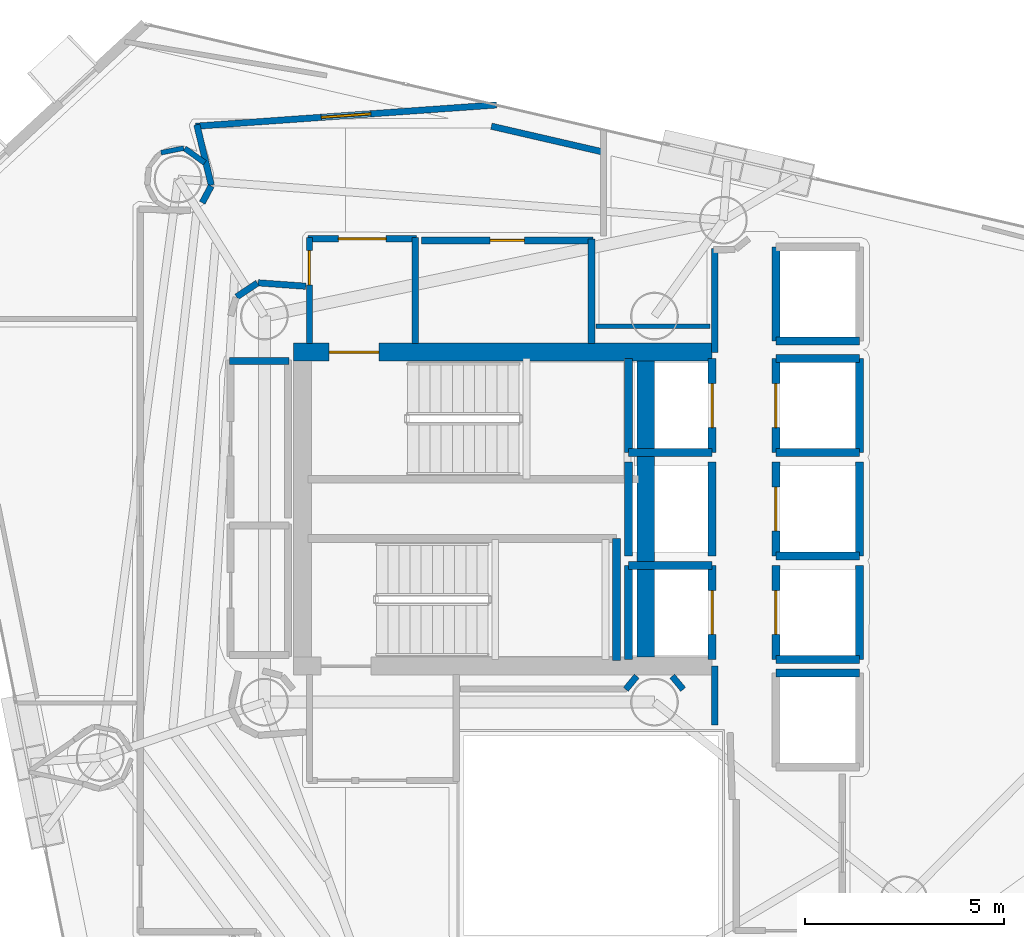
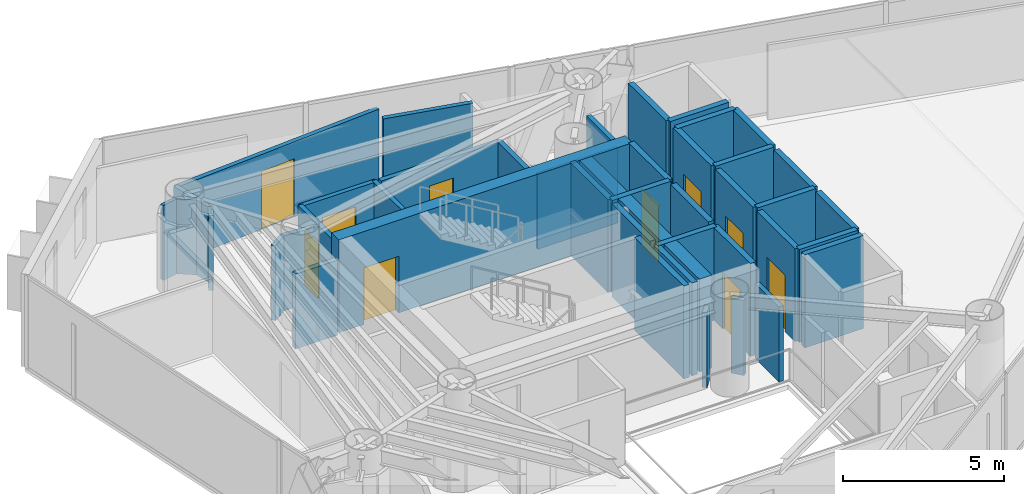
# One storey, part 18 of 22: 43 walls, 10 doors, 10 openings.
"""IFC4 building model written with IfcOpenShell, lengths in metres."""

import ifcopenshell
import ifcopenshell.guid

model = None  # the IFC model being written
_history = None  # IfcOwnerHistory: only IFC2X3 demands one
_inside = {}  # id of a spatial element -> (the spatial element, [elements in it])
_under = {}  # id of a project, library or spatial element -> (it, [spatial elements below it])
_declared = {}  # id of a project -> (the project, [libraries it declares])
_typed = {}  # id of a type object -> (the type object, [elements of that type])
_made_of = {}  # id of a material, layer set ... -> (it, [elements and type objects made of it])


def new_model(schema):
    """Start an empty IFC model of exactly this schema.

    Asked for "IFC4X3", IfcOpenShell would pick the latest addendum, in which some entities
    have other attributes; the version numbers below select the first issue.
    IFC2X3 requires an IfcOwnerHistory on every rooted entity: one is made here for all.
    """
    global model, _history
    if schema == "IFC4X3":
        model = ifcopenshell.file(schema_version=(4, 3, 0, 0))
    else:
        model = ifcopenshell.file(schema=schema)
    _inside.clear()
    _under.clear()
    _declared.clear()
    _typed.clear()
    _made_of.clear()
    _history = None
    if model.schema == "IFC2X3":
        org = make("IfcOrganization", Name="unknown")
        user = make(
            "IfcPersonAndOrganization",
            ThePerson=make("IfcPerson", FamilyName="unknown"),
            TheOrganization=org,
        )
        app = make(
            "IfcApplication",
            ApplicationDeveloper=org,
            Version="unknown",
            ApplicationFullName="unknown",
            ApplicationIdentifier="unknown",
        )
        _history = make(
            "IfcOwnerHistory",
            OwningUser=user,
            OwningApplication=app,
            ChangeAction="ADDED",
            CreationDate=0,
        )
    return model


def make(cls, **values):
    """One entity of the class cls with the attributes given. An attribute that is None is left unset."""
    return model.create_entity(
        cls, **{name: value for name, value in values.items() if value is not None}
    )


def rooted(cls, **values):
    """An entity with a GlobalId (a new one), such as an element, a storey or a relation."""
    return make(cls, GlobalId=ifcopenshell.guid.new(), OwnerHistory=_history, **values)


def si_unit(unit_type, name, prefix=None):
    """IfcSIUnit, for example si_unit("LENGTHUNIT", "METRE", prefix="MILLI")."""
    return make("IfcSIUnit", UnitType=unit_type, Prefix=prefix, Name=name)


def assignment(units):
    """IfcUnitAssignment: the units of a project."""
    return None if units is None else make("IfcUnitAssignment", Units=units)


def point(xyz):
    """IfcCartesianPoint."""
    return None if xyz is None else make("IfcCartesianPoint", Coordinates=xyz)


def direction(xyz):
    """IfcDirection."""
    return None if xyz is None else make("IfcDirection", DirectionRatios=xyz)


def frame(location, z_axis=None, x_axis=None):
    """IfcAxis2Placement3D, a coordinate frame: its origin and axes. An axis left out is left unset."""
    return make(
        "IfcAxis2Placement3D",
        Location=point(location),
        Axis=direction(z_axis),
        RefDirection=direction(x_axis),
    )


def frame_2d(location, x_axis=None):
    """IfcAxis2Placement2D, a coordinate frame in the plane: its origin and x axis."""
    return make(
        "IfcAxis2Placement2D", Location=point(location), RefDirection=direction(x_axis)
    )


def origin():
    """The frame at (0, 0, 0) with its axes left unset."""
    return frame((0.0, 0.0, 0.0))


def place(relative_to, where):
    """IfcLocalPlacement: puts the frame where relative to a parent placement (None: the world)."""
    return make(
        "IfcLocalPlacement", PlacementRelTo=relative_to, RelativePlacement=where
    )


def context(
    kind, dimensions, precision=None, world=None, true_north=None, identifier=None
):
    """IfcGeometricRepresentationContext, for example the 3D "Model" context."""
    return make(
        "IfcGeometricRepresentationContext",
        ContextIdentifier=identifier,
        ContextType=kind,
        CoordinateSpaceDimension=dimensions,
        Precision=precision,
        WorldCoordinateSystem=world,
        TrueNorth=true_north,
    )


def subcontext(parent, identifier, kind, view, scale=None):
    """IfcGeometricRepresentationSubContext, for example "Body" below "Model"."""
    return make(
        "IfcGeometricRepresentationSubContext",
        ContextIdentifier=identifier,
        ContextType=kind,
        ParentContext=parent,
        TargetScale=scale,
        TargetView=view,
    )


def project(units=None, contexts=None):
    """IfcProject with its units and contexts."""
    return rooted(
        "IfcProject",
        Name="project",
        RepresentationContexts=contexts,
        UnitsInContext=assignment(units),
    )


def spatial(cls, under=None, at=None, **own):
    """A site, building, storey or space (cls), placed at a placement, below another one or the project."""
    s = rooted(cls, ObjectPlacement=at, **own)
    if under is not None:
        _under.setdefault(under.id(), (under, []))[1].append(s)
    return s


def profile(cls, at=None, kind="AREA", **sizes):
    """A parametric profile (cls). Its sizes go by their IFC names, for example OverallWidth=200.0."""
    return make(cls, ProfileType=kind, Position=at, **sizes)


def rectangle(**sizes):
    """IfcRectangleProfileDef."""
    return profile("IfcRectangleProfileDef", **sizes)


def extrude(swept, where, along, depth):
    """IfcExtrudedAreaSolid: the profile swept, set in the frame where, extruded along a direction by depth."""
    return make(
        "IfcExtrudedAreaSolid",
        SweptArea=swept,
        Position=where,
        ExtrudedDirection=direction(along),
        Depth=depth,
    )


def shape(context_of_items, identifier, shape_type, items):
    """IfcShapeRepresentation: the items that make up one representation, for example the "Body"."""
    return make(
        "IfcShapeRepresentation",
        ContextOfItems=context_of_items,
        RepresentationIdentifier=identifier,
        RepresentationType=shape_type,
        Items=items,
    )


def material(Name=None, Category=None):
    """IfcMaterial."""
    return make("IfcMaterial", Name=Name, Category=Category)


def layer(
    of_material, thickness, ventilated=None, Name=None, Category=None, Priority=None
):
    """IfcMaterialLayer: one layer of a wall or slab, of a material (None: an air gap)."""
    return make(
        "IfcMaterialLayer",
        Material=of_material,
        LayerThickness=thickness,
        IsVentilated=ventilated,
        Name=Name,
        Category=Category,
        Priority=Priority,
    )


def layer_set(layers, Name=None):
    """IfcMaterialLayerSet."""
    return make("IfcMaterialLayerSet", MaterialLayers=layers, LayerSetName=Name)


def made_of(thing, what):
    """Note that an element or type object is made of a material, layer set ...; save() writes the relation."""
    if what is not None:
        _made_of.setdefault(what.id(), (what, []))[1].append(thing)
    return thing


def type_object(cls, material=None, **own):
    """A type object (cls), such as IfcWallType, which elements share."""
    return made_of(rooted(cls, **own), material)


def element(
    cls,
    number,
    at=None,
    inside=None,
    cuts=None,
    type_object=None,
    material=None,
    context=None,
    identifier="Body",
    shape_type=None,
    held_by="IfcProductDefinitionShape",
    body=None,
    shapes=None,
    **own,
):
    """One element of the class cls, such as IfcWall. Its Tag is "e" and its number.

    at: its placement. inside: the storey or other place that contains it. cuts: it is an
    opening in that element (IfcRelVoidsElement). A single representation is given by context,
    identifier, shape_type and body (its items); several are given by shapes. held_by: the class
    of the entity that holds the representations. save() writes the other relations.
    """
    e = rooted(cls, Tag="e%d" % number, ObjectPlacement=at, **own)
    if body is not None:
        shapes = [shape(context, identifier, shape_type, body)]
    if shapes is not None:
        e.Representation = make(held_by, Representations=shapes)
    if inside is not None:
        _inside.setdefault(inside.id(), (inside, []))[1].append(e)
    if cuts is not None:
        rooted(
            "IfcRelVoidsElement", RelatingBuildingElement=cuts, RelatedOpeningElement=e
        )
    if type_object is not None:
        _typed.setdefault(type_object.id(), (type_object, []))[1].append(e)
    return made_of(e, material)


def fill(opening, filler):
    """IfcRelFillsElement: the door or window that sits in an opening."""
    return rooted(
        "IfcRelFillsElement",
        RelatingOpeningElement=opening,
        RelatedBuildingElement=filler,
    )


def aggregate(whole, parts):
    """IfcRelAggregates: a whole, such as a stair, and the parts it consists of."""
    return rooted("IfcRelAggregates", RelatingObject=whole, RelatedObjects=parts)


def save(model, path):
    """Write the relations noted so far, then the file.

    IfcRelAggregates (storeys below a building ...), IfcRelContainedInSpatialStructure (elements
    in a storey), IfcRelDefinesByType, IfcRelAssociatesMaterial and IfcRelDeclares: one each for
    every whole, place, type object, material and project.
    """
    for whole, parts in _under.values():
        aggregate(whole, parts)
    for where, things in _inside.values():
        rooted(
            "IfcRelContainedInSpatialStructure",
            RelatedElements=things,
            RelatingStructure=where,
        )
    for kind, things in _typed.values():
        rooted("IfcRelDefinesByType", RelatedObjects=things, RelatingType=kind)
    for what, things in _made_of.values():
        rooted("IfcRelAssociatesMaterial", RelatedObjects=things, RelatingMaterial=what)
    for by, libraries in _declared.values():
        rooted("IfcRelDeclares", RelatingContext=by, RelatedDefinitions=libraries)
    model.write(path)


model = new_model("IFC4")

# Units and contexts
model_context = context("Model", 3, precision=1e-05, world=origin(), true_north=direction((0.0, 1.0)))
body_context = subcontext(model_context, "Body", "Model", "MODEL_VIEW")
ifc_project = project(units=[si_unit("LENGTHUNIT", "METRE"), si_unit("AREAUNIT", "SQUARE_METRE"), si_unit("VOLUMEUNIT", "CUBIC_METRE"), si_unit("PLANEANGLEUNIT", "RADIAN"), si_unit("MASSUNIT", "GRAM", prefix="KILO")], contexts=[model_context])

# Site, building, storey
site_placement = place(None, origin())
site = spatial("IfcSite", under=ifc_project, at=site_placement, CompositionType="ELEMENT")
building_placement = place(site_placement, origin())
building = spatial("IfcBuilding", under=site, at=building_placement, Name="Qianvela Tower", CompositionType="ELEMENT")
storey_placement = place(building_placement, frame((0.0, 0.0, 200.300048828125)))
storey = spatial("IfcBuildingStorey", under=building, at=storey_placement, Name="L51", CompositionType="ELEMENT", Elevation=200.300048828125)

# Wall, opening, door
ifc_material_1 = material(Name="Concrete C50", Category="concrete")
ifc_layer_1 = layer(ifc_material_1, 0.449951171875)
ifc_layer_set_1 = layer_set([ifc_layer_1], Name="Concrete C50")
wall_type_1 = type_object("IfcWallType", Name="WT-CORE-450", PredefinedType="SHEAR", material=ifc_layer_set_1)
wall_1_placement = place(storey_placement, frame((29.330078125, 32.64501953125, 0.0), z_axis=(0.0, 0.0, 1.0), x_axis=(1.0, 0.0, 0.0)))
wall_1 = element("IfcWall", 1, at=wall_1_placement, inside=storey, type_object=wall_type_1, Name="L51 North Core Shear Wall", PredefinedType="SHEAR", context=body_context, shape_type="SweptSolid", body=[
    extrude(rectangle(XDim=10.52001953125, YDim=0.449951171875, at=frame_2d((5.260009765625, 0.0))), origin(), (0.0, 0.0, 1.0), 3.52001953125),
])
opening_1_placement = place(wall_1_placement, frame((0.89501953125, 0.0, 0.0)))
opening_1 = element("IfcOpeningElement", 2, at=opening_1_placement, cuts=wall_1, Name="Opening D-ST1", PredefinedType="OPENING", context=body_context, shape_type="SweptSolid", body=[
    extrude(rectangle(XDim=1.25, YDim=2.14990234375, at=frame_2d((0.625, 1.074951171875))), frame((0.0, 0.23486328125, 0.0), z_axis=(0.0, -1.0, 0.0), x_axis=(1.0, 0.0, 0.0)), (0.0, 0.0, 1.0), 0.469970703125),
])
ifc_material_2 = material(Name="Galvanised Fire Steel Q355B", Category="steel")
door_type_1 = type_object("IfcDoorType", Name="DT-STAIR-FD90", OperationType="NOTDEFINED", PredefinedType="DOOR", material=ifc_material_2)
door_1_placement = place(opening_1_placement, origin())
door_1 = element("IfcDoor", 3, at=door_1_placement, inside=storey, type_object=door_type_1, Name="L51 Stair ST-1 Exit Door", OperationType="SINGLE_SWING_RIGHT", OverallHeight=2.14990234375, OverallWidth=1.25, PredefinedType="DOOR", context=body_context, shape_type="SweptSolid", body=[
    extrude(rectangle(XDim=1.25, YDim=2.14990234375, at=frame_2d((0.625, 1.074951171875))), frame((0.0, 0.02490234375, 0.0), z_axis=(0.0, -1.0, 0.0), x_axis=(1.0, 0.0, 0.0)), (0.0, 0.0, 1.0), 0.050048828125),
])
fill(opening_1, door_1)

# Wall
wall_2_placement = place(storey_placement, frame((38.179931640625, 24.97998046875, 0.0), z_axis=(0.0, 0.0, 1.0), x_axis=(0.0, 1.0, 0.0)))
element("IfcWall", 4, at=wall_2_placement, inside=storey, type_object=wall_type_1, Name="L51 East Spine Core Shear Wall", PredefinedType="SHEAR", context=body_context, shape_type="SweptSolid", body=[
    extrude(rectangle(XDim=7.43994140625, YDim=0.449951171875, at=frame_2d((3.719970703125, 0.0))), origin(), (0.0, 0.0, 1.0), 3.52001953125),
])

# Wall, opening, door
ifc_material_3 = material(Name="Fire-Rated Gypsum and Concrete Block", Category="concrete")
ifc_layer_2 = layer(ifc_material_3, 0.159912109375)
ifc_layer_set_2 = layer_set([ifc_layer_2], Name="Fire-Rated Gypsum and Concrete Block")
wall_type_2 = type_object("IfcWallType", Name="WT-CORR-160", PredefinedType="PARTITIONING", material=ifc_layer_set_2)
wall_3_placement = place(storey_placement, frame((29.73095703125, 32.85791015625, 0.0), z_axis=(0.0, 0.0, 1.0), x_axis=(0.0, 1.0, 0.0)))
wall_3 = element("IfcWall", 5, at=wall_3_placement, inside=storey, type_object=wall_type_2, Name="L51 Partition 2", PredefinedType="PARTITIONING", context=body_context, shape_type="SweptSolid", body=[
    extrude(rectangle(XDim=2.662109375, YDim=0.159912109375, at=frame_2d((1.3310546875, 0.0))), origin(), (0.0, 0.0, 1.0), 2.83984375),
])
opening_2_placement = place(wall_3_placement, frame((1.478271484375, 0.0, 0.0)))
opening_2 = element("IfcOpeningElement", 6, at=opening_2_placement, cuts=wall_3, Name="Opening D-LB2", PredefinedType="OPENING", context=body_context, shape_type="SweptSolid", body=[
    extrude(rectangle(XDim=0.860107421875, YDim=2.050048828125, at=frame_2d((0.43017578125, 1.02490234375))), frame((0.0, 0.08984375, 0.0), z_axis=(0.0, -1.0, 0.0), x_axis=(1.0, 0.0, 0.0)), (0.0, 0.0, 1.0), 0.179931640625),
])
ifc_material_4 = material(Name="Insulated Steel Fire Door Q355B", Category="steel")
door_type_2 = type_object("IfcDoorType", Name="DT-LOBBY-FD90-860", OperationType="NOTDEFINED", PredefinedType="DOOR", material=ifc_material_4)
door_2_placement = place(opening_2_placement, origin())
door_2 = element("IfcDoor", 7, at=door_2_placement, inside=storey, type_object=door_type_2, Name="L51 Door L51 Firefighting Lobby North to L51 Floor Corridor", OperationType="SINGLE_SWING_LEFT", OverallHeight=2.050048828125, OverallWidth=0.860107421875, PredefinedType="DOOR", context=body_context, shape_type="SweptSolid", body=[
    extrude(rectangle(XDim=0.860107421875, YDim=2.050048828125, at=frame_2d((0.43017578125, 1.02490234375))), frame((0.0, 0.02490234375, 0.0), z_axis=(0.0, -1.0, 0.0), x_axis=(1.0, 0.0, 0.0)), (0.0, 0.0, 1.0), 0.050048828125),
])
fill(opening_2, door_2)

wall_4_placement = place(storey_placement, frame((29.699951171875, 35.489013671875, 0.0), z_axis=(0.0, 0.0, 1.0), x_axis=(1.0, 0.0, 0.0)))
wall_4 = element("IfcWall", 8, at=wall_4_placement, inside=storey, type_object=wall_type_2, Name="L51 Partition 3", PredefinedType="PARTITIONING", context=body_context, shape_type="SweptSolid", body=[
    extrude(rectangle(XDim=2.719970703125, YDim=0.159912109375, at=frame_2d((1.35986328125, 0.0))), origin(), (0.0, 0.0, 1.0), 2.83984375),
])
opening_3_placement = place(wall_4_placement, frame((0.760009765625, 0.0, 0.0)))
opening_3 = element("IfcOpeningElement", 9, at=opening_3_placement, cuts=wall_4, Name="Opening D-LB1", PredefinedType="OPENING", context=body_context, shape_type="SweptSolid", body=[
    extrude(rectangle(XDim=1.199951171875, YDim=2.14990234375, at=frame_2d((0.60009765625, 1.074951171875))), frame((0.0, 0.08984375, 0.0), z_axis=(0.0, -1.0, 0.0), x_axis=(1.0, 0.0, 0.0)), (0.0, 0.0, 1.0), 0.179931640625),
])
ifc_material_5 = material(Name="Glazed Fire-Rated Steel Frame", Category="steel")
door_type_3 = type_object("IfcDoorType", Name="DT-LOBBY-FD90", OperationType="NOTDEFINED", PredefinedType="DOOR", material=ifc_material_5)
door_3_placement = place(opening_3_placement, origin())
door_3 = element("IfcDoor", 10, at=door_3_placement, inside=storey, type_object=door_type_3, Name="L51 Door L51 Firefighting Lobby North to L51 Floor Corridor", OperationType="SINGLE_SWING_RIGHT", OverallHeight=2.14990234375, OverallWidth=1.199951171875, PredefinedType="DOOR", context=body_context, shape_type="SweptSolid", body=[
    extrude(rectangle(XDim=1.199951171875, YDim=2.14990234375, at=frame_2d((0.60009765625, 1.074951171875))), frame((0.0, 0.02490234375, 0.0), z_axis=(0.0, -1.0, 0.0), x_axis=(1.0, 0.0, 0.0)), (0.0, 0.0, 1.0), 0.050048828125),
])
fill(opening_3, door_3)

# Walls
wall_5_placement = place(storey_placement, frame((32.388916015625, 35.52001953125, 0.0), z_axis=(0.0, 0.0, 1.0), x_axis=(0.0, -1.0, 0.0)))
element("IfcWall", 11, at=wall_5_placement, inside=storey, type_object=wall_type_2, Name="L51 Partition 4", PredefinedType="PARTITIONING", context=body_context, shape_type="SweptSolid", body=[
    extrude(rectangle(XDim=2.662109375, YDim=0.159912109375, at=frame_2d((1.3310546875, 0.0))), origin(), (0.0, 0.0, 1.0), 2.83984375),
])
wall_6_placement = place(storey_placement, frame((39.910888671875, 23.280029296875, 0.0), z_axis=(0.0, 0.0, 1.0), x_axis=(0.0, 1.0, 0.0)))
element("IfcWall", 12, at=wall_6_placement, inside=storey, type_object=wall_type_2, Name="L51 Partition 10", PredefinedType="PARTITIONING", context=body_context, shape_type="SweptSolid", body=[
    extrude(rectangle(XDim=1.47998046875, YDim=0.159912109375, at=frame_2d((0.739990234375, 0.0))), origin(), (0.0, 0.0, 1.0), 2.83984375),
])
wall_7_placement = place(storey_placement, frame((39.910888671875, 32.639892578125, 0.0), z_axis=(0.0, 0.0, 1.0), x_axis=(0.0, 1.0, 0.0)))
element("IfcWall", 13, at=wall_7_placement, inside=storey, type_object=wall_type_2, Name="L51 Partition 12", PredefinedType="PARTITIONING", context=body_context, shape_type="SweptSolid", body=[
    extrude(rectangle(XDim=2.60400390625, YDim=0.159912109375, at=frame_2d((1.302001953125, 0.0))), origin(), (0.0, 0.0, 1.0), 2.83984375),
])
for number, where, z_axis, x_axis, name in (
    (14, (39.12109375, 24.169921875, 0.0), (0.0, 0.0, 1.0), (-0.638008265708, 0.770029514296, 0.0), "L51 Partition 45"),
    (15, (37.953857421875, 24.501708984375, 0.0), (0.0, 0.0, 1.0), (-0.638008265708, -0.770029514296, 0.0), "L51 Partition 48"),
):
    element("IfcWall", number, at=place(storey_placement, frame(where, z_axis=z_axis, x_axis=x_axis)), inside=storey, type_object=wall_type_2, Name=name, PredefinedType="PARTITIONING", context=body_context, shape_type="SweptSolid", body=[
        extrude(rectangle(XDim=0.430908203125, YDim=0.159912109375, at=frame_2d((0.21533203125, 0.0))), origin(), (0.0, 0.0, 1.0), 2.83984375),
    ])
wall_8_placement = place(storey_placement, frame((27.265380859375, 36.839111328125, 0.0), z_axis=(0.0, 0.0, 1.0), x_axis=(-0.232734022169, 0.972540423286, 0.0)))
element("IfcWall", 16, at=wall_8_placement, inside=storey, type_object=wall_type_2, Name="L51 Partition 50", PredefinedType="PARTITIONING", context=body_context, shape_type="SweptSolid", body=[
    extrude(rectangle(XDim=1.56103515625, YDim=0.159912109375, at=frame_2d((0.780517578125, 0.0))), origin(), (0.0, 0.0, 1.0), 2.83984375),
])

# Wall, opening, door
wall_9_placement = place(storey_placement, frame((26.871826171875, 38.319091796875, 0.0), z_axis=(0.0, 0.0, 1.0), x_axis=(0.997497948336, 0.070695424642, 0.0)))
wall_9 = element("IfcWall", 17, at=wall_9_placement, inside=storey, type_object=wall_type_2, Name="L51 Partition 51", PredefinedType="PARTITIONING", context=body_context, shape_type="SweptSolid", body=[
    extrude(rectangle(XDim=7.580322265625, YDim=0.159912109375, at=frame_2d((3.7900390625, 0.0))), origin(), (0.0, 0.0, 1.0), 2.83984375),
])
opening_4_placement = place(wall_9_placement, frame((3.1650390625, 0.0, 0.0)))
opening_4 = element("IfcOpeningElement", 18, at=opening_4_placement, cuts=wall_9, Name="Opening D-LG1", PredefinedType="OPENING", context=body_context, shape_type="SweptSolid", body=[
    extrude(rectangle(XDim=1.25, YDim=2.199951171875, at=frame_2d((0.625, 1.10009765625))), frame((0.0, 0.08984375, 0.0), z_axis=(0.0, -1.0, 0.0), x_axis=(1.0, 0.0, 0.0)), (0.0, 0.0, 1.0), 0.179931640625),
])
ifc_material_6 = material(Name="Anodised Aluminium Acoustic Glass Door", Category="aluminium")
door_type_4 = type_object("IfcDoorType", Name="DT-LOUNGE-1250", OperationType="NOTDEFINED", PredefinedType="DOOR", material=ifc_material_6)
door_4_placement = place(opening_4_placement, origin())
door_4 = element("IfcDoor", 19, at=door_4_placement, inside=storey, type_object=door_type_4, Name="L51 Door Quiet Desk Workspace L51-03 to L51 Floor Corridor", OperationType="SINGLE_SWING_RIGHT", OverallHeight=2.199951171875, OverallWidth=1.25, PredefinedType="DOOR", context=body_context, shape_type="SweptSolid", body=[
    extrude(rectangle(XDim=1.25, YDim=2.199951171875, at=frame_2d((0.625, 1.10009765625))), frame((0.0, 0.02490234375, 0.0), z_axis=(0.0, -1.0, 0.0), x_axis=(1.0, 0.0, 0.0)), (0.0, 0.0, 1.0), 0.050048828125),
])
fill(opening_4, door_4)

# Walls
wall_10_placement = place(storey_placement, frame((34.302490234375, 38.31982421875, 0.0), z_axis=(0.0, 0.0, 1.0), x_axis=(0.974391195695, -0.224859506699, 0.0)))
element("IfcWall", 20, at=wall_10_placement, inside=storey, type_object=wall_type_2, Name="L51 Partition 52", PredefinedType="PARTITIONING", context=body_context, shape_type="SweptSolid", body=[
    extrude(rectangle(XDim=2.915283203125, YDim=0.159912109375, at=frame_2d((1.45751953125, 0.0))), origin(), (0.0, 0.0, 1.0), 2.83984375),
])
wall_11_placement = place(storey_placement, frame((29.64013671875, 34.298583984375, 0.0), z_axis=(0.0, 0.0, 1.0), x_axis=(-0.997392224386, 0.072171675429, 0.0)))
element("IfcWall", 21, at=wall_11_placement, inside=storey, type_object=wall_type_2, Name="L51 Partition 56", PredefinedType="PARTITIONING", context=body_context, shape_type="SweptSolid", body=[
    extrude(rectangle(XDim=1.200927734375, YDim=0.159912109375, at=frame_2d((0.6005859375, 0.0))), origin(), (0.0, 0.0, 1.0), 2.83984375),
])
wall_12_placement = place(storey_placement, frame((28.4228515625, 34.3798828125, 0.0), z_axis=(0.0, 0.0, 1.0), x_axis=(-0.831571279003, -0.555418047903, 0.0)))
element("IfcWall", 22, at=wall_12_placement, inside=storey, type_object=wall_type_2, Name="L51 Partition 57", PredefinedType="PARTITIONING", context=body_context, shape_type="SweptSolid", body=[
    extrude(rectangle(XDim=0.627685546875, YDim=0.159912109375, at=frame_2d((0.31396484375, 0.0))), origin(), (0.0, 0.0, 1.0), 2.83984375),
])
wall_13_placement = place(storey_placement, frame((27.0380859375, 36.397705078125, 0.0), z_axis=(0.0, 0.0, 1.0), x_axis=(0.471865548338, 0.881670519123, 0.0)))
element("IfcWall", 23, at=wall_13_placement, inside=storey, type_object=wall_type_2, Name="L51 Partition 75", PredefinedType="PARTITIONING", context=body_context, shape_type="SweptSolid", body=[
    extrude(rectangle(XDim=0.47607421875, YDim=0.159912109375, at=frame_2d((0.238037109375, 0.0))), origin(), (0.0, 0.0, 1.0), 2.83984375),
])
ifc_material_7 = material(Name="Lightweight Gypsum Room Partition")
ifc_layer_3 = layer(ifc_material_7, 0.10498046875)
ifc_layer_set_3 = layer_set([ifc_layer_3], Name="Lightweight Gypsum Room Partition")
wall_type_3 = type_object("IfcWallType", Name="WT-PART-105", PredefinedType="PARTITIONING", material=ifc_layer_set_3)
wall_14_placement = place(storey_placement, frame((39.800048828125, 33.29296875, 0.0), z_axis=(0.0, 0.0, 1.0), x_axis=(-1.0, 0.0, 0.0)))
element("IfcWall", 24, at=wall_14_placement, inside=storey, type_object=wall_type_3, Name="L51 Partition 104", PredefinedType="PARTITIONING", context=body_context, shape_type="SweptSolid", body=[
    extrude(rectangle(XDim=2.8701171875, YDim=0.10498046875, at=frame_2d((1.43505859375, 0.0))), origin(), (0.0, 0.0, 1.0), 2.83984375),
])
ifc_material_8 = material(Name="Insulated Gypsum Stud Partition")
ifc_layer_4 = layer(ifc_material_8, 0.1201171875)
ifc_layer_set_4 = layer_set([ifc_layer_4], Name="Insulated Gypsum Stud Partition")
wall_type_4 = type_object("IfcWallType", Name="WT-PART-120", PredefinedType="PARTITIONING", material=ifc_layer_set_4)
wall_15_placement = place(storey_placement, frame((26.5732421875, 37.767822265625, 0.0), z_axis=(0.0, 0.0, 1.0), x_axis=(-0.980773892286, -0.195147565217, 0.0)))
element("IfcWall", 25, at=wall_15_placement, inside=storey, type_object=wall_type_4, Name="L51 Partition 112", PredefinedType="PARTITIONING", context=body_context, shape_type="SweptSolid", body=[
    extrude(rectangle(XDim=0.581787109375, YDim=0.1201171875, at=frame_2d((0.291015625, 0.0))), origin(), (0.0, 0.0, 1.0), 2.83984375),
])

# Wall, opening, door
ifc_material_9 = material(Name="Moisture-Resistant Acoustic Plumbing Wall")
ifc_layer_5 = layer(ifc_material_9, 0.175048828125)
ifc_layer_set_5 = layer_set([ifc_layer_5], Name="Moisture-Resistant Acoustic Plumbing Wall")
wall_type_5 = type_object("IfcWallType", Name="WT-PLUMB-175", PredefinedType="PLUMBINGWALL", material=ifc_layer_set_5)
wall_16_placement = place(storey_placement, frame((32.550048828125, 35.448974609375, 0.0), z_axis=(0.0, 0.0, 1.0), x_axis=(1.0, 0.0, 0.0)))
wall_16 = element("IfcWall", 26, at=wall_16_placement, inside=storey, type_object=wall_type_5, Name="L51 Partition 22", PredefinedType="PLUMBINGWALL", context=body_context, shape_type="SweptSolid", body=[
    extrude(rectangle(XDim=4.300048828125, YDim=0.175048828125, at=frame_2d((2.14990234375, 0.0))), origin(), (0.0, 0.0, 1.0), 2.83984375),
])
opening_5_placement = place(wall_16_placement, frame((1.719970703125, 0.0, 0.0)))
opening_5 = element("IfcOpeningElement", 27, at=opening_5_placement, cuts=wall_16, Name="Opening D-WC1", PredefinedType="OPENING", context=body_context, shape_type="SweptSolid", body=[
    extrude(rectangle(XDim=0.860107421875, YDim=2.050048828125, at=frame_2d((0.43017578125, 1.02490234375))), frame((0.0, 0.097412109375, 0.0), z_axis=(0.0, -1.0, 0.0), x_axis=(1.0, 0.0, 0.0)), (0.0, 0.0, 1.0), 0.195068359375),
])
ifc_material_10 = material(Name="Moisture-Sealed Acoustic Timber Door", Category="wood")
door_type_5 = type_object("IfcDoorType", Name="DT-WC-860", OperationType="NOTDEFINED", PredefinedType="DOOR", material=ifc_material_10)
door_5_placement = place(opening_5_placement, origin())
door_5 = element("IfcDoor", 28, at=door_5_placement, inside=storey, type_object=door_type_5, Name="L51 Door L51 Accessible WC to L51 Floor Corridor", OperationType="SINGLE_SWING_LEFT", OverallHeight=2.050048828125, OverallWidth=0.860107421875, PredefinedType="DOOR", context=body_context, shape_type="SweptSolid", body=[
    extrude(rectangle(XDim=0.860107421875, YDim=2.050048828125, at=frame_2d((0.43017578125, 1.02490234375))), frame((0.0, 0.02490234375, 0.0), z_axis=(0.0, -1.0, 0.0), x_axis=(1.0, 0.0, 0.0)), (0.0, 0.0, 1.0), 0.050048828125),
])
fill(opening_5, door_5)

# Walls
wall_17_placement = place(storey_placement, frame((36.819091796875, 35.47998046875, 0.0), z_axis=(0.0, 0.0, 1.0), x_axis=(0.0, -1.0, 0.0)))
element("IfcWall", 29, at=wall_17_placement, inside=storey, type_object=wall_type_5, Name="L51 Partition 23", PredefinedType="PLUMBINGWALL", context=body_context, shape_type="SweptSolid", body=[
    extrude(rectangle(XDim=2.6220703125, YDim=0.175048828125, at=frame_2d((1.31103515625, 0.0))), origin(), (0.0, 0.0, 1.0), 2.83984375),
])
wall_18_placement = place(storey_placement, frame((27.719970703125, 32.4189453125, 0.0), z_axis=(0.0, 0.0, 1.0), x_axis=(1.0, 0.0, 0.0)))
element("IfcWall", 30, at=wall_18_placement, inside=storey, type_object=wall_type_5, Name="L51 Partition 29", PredefinedType="PLUMBINGWALL", context=body_context, shape_type="SweptSolid", body=[
    extrude(rectangle(XDim=1.5, YDim=0.175048828125, at=frame_2d((0.75, 0.0))), origin(), (0.0, 0.0, 1.0), 2.83984375),
])
ifc_material_11 = material(Name="Acoustic Double Gypsum Stud Partition")
ifc_layer_6 = layer(ifc_material_11, 0.139892578125)
ifc_layer_set_6 = layer_set([ifc_layer_6], Name="Acoustic Double Gypsum Stud Partition")
wall_type_6 = type_object("IfcWallType", Name="WT-ROOM-140", PredefinedType="PARTITIONING", material=ifc_layer_set_6)
wall_19_placement = place(storey_placement, frame((27.102294921875, 37.3994140625, 0.0), z_axis=(0.0, 0.0, 1.0), x_axis=(-0.811712980853, 0.584056535546, 0.0)))
element("IfcWall", 31, at=wall_19_placement, inside=storey, type_object=wall_type_6, Name="L51 Partition 111", PredefinedType="PARTITIONING", context=body_context, shape_type="SweptSolid", body=[
    extrude(rectangle(XDim=0.6220703125, YDim=0.139892578125, at=frame_2d((0.31103515625, 0.0))), origin(), (0.0, 0.0, 1.0), 2.83984375),
])
ifc_material_12 = material(Name="Concrete C50", Category="concrete")
ifc_layer_7 = layer(ifc_material_12, 0.199951171875)
ifc_layer_set_7 = layer_set([ifc_layer_7], Name="Concrete C50")
wall_type_7 = type_object("IfcWallType", Name="WT-SHAFT-200", PredefinedType="SOLIDWALL", material=ifc_layer_set_7)
wall_20_placement = place(storey_placement, frame((37.449951171875, 24.89990234375, 0.0), z_axis=(0.0, 0.0, 1.0), x_axis=(0.0, 1.0, 0.0)))
element("IfcWall", 32, at=wall_20_placement, inside=storey, type_object=wall_type_7, Name="L51 Stair ST-2 East Wall", PredefinedType="SOLIDWALL", context=body_context, shape_type="SweptSolid", body=[
    extrude(rectangle(XDim=3.06005859375, YDim=0.199951171875, at=frame_2d((1.530029296875, 0.0))), origin(), (0.0, 0.0, 1.0), 3.52001953125),
])

# Wall, opening, door
wall_21_placement = place(storey_placement, frame((39.85009765625, 30.1201171875, 0.0), z_axis=(0.0, 0.0, 1.0), x_axis=(0.0, 1.0, 0.0)))
wall_21 = element("IfcWall", 33, at=wall_21_placement, inside=storey, type_object=wall_type_7, Name="L51 Lift FL-1 E Shaft Wall", PredefinedType="SOLIDWALL", context=body_context, shape_type="SweptSolid", body=[
    extrude(rectangle(XDim=2.35986328125, YDim=0.199951171875, at=frame_2d((1.179931640625, 0.0))), origin(), (0.0, 0.0, 1.0), 3.52001953125),
])
opening_6_placement = place(wall_21_placement, frame((0.6298828125, 0.0, 0.0)))
opening_6 = element("IfcOpeningElement", 34, at=opening_6_placement, cuts=wall_21, Name="Opening LD-01", PredefinedType="OPENING", context=body_context, shape_type="SweptSolid", body=[
    extrude(rectangle(XDim=1.10009765625, YDim=2.14990234375, at=frame_2d((0.550048828125, 1.074951171875))), frame((0.0, 0.10986328125, 0.0), z_axis=(0.0, -1.0, 0.0), x_axis=(1.0, 0.0, 0.0)), (0.0, 0.0, 1.0), 0.219970703125),
])
ifc_material_13 = material(Name="Brushed Stainless Steel Lift Landing Door", Category="steel")
door_type_6 = type_object("IfcDoorType", Name="DT-LIFT-SLIDE-1100", OperationType="SLIDING_TO_LEFT", PredefinedType="DOOR", material=ifc_material_13)
door_6_placement = place(opening_6_placement, origin())
door_6 = element("IfcDoor", 35, at=door_6_placement, inside=storey, type_object=door_type_6, Name="L51 Lift FL-1 Sliding Landing Door", OperationType="SLIDING_TO_LEFT", OverallHeight=2.14990234375, OverallWidth=1.10009765625, PredefinedType="DOOR", context=body_context, shape_type="SweptSolid", body=[
    extrude(rectangle(XDim=1.10009765625, YDim=2.14990234375, at=frame_2d((0.550048828125, 1.074951171875))), frame((0.0, 0.02490234375, 0.0), z_axis=(0.0, -1.0, 0.0), x_axis=(1.0, 0.0, 0.0)), (0.0, 0.0, 1.0), 0.050048828125),
])
fill(opening_6, door_6)

# Walls
wall_22_placement = place(storey_placement, frame((37.75, 30.1201171875, 0.0), z_axis=(0.0, 0.0, 1.0), x_axis=(0.0, 1.0, 0.0)))
element("IfcWall", 36, at=wall_22_placement, inside=storey, type_object=wall_type_7, Name="L51 Lift FL-1 W Shaft Wall", PredefinedType="SOLIDWALL", context=body_context, shape_type="SweptSolid", body=[
    extrude(rectangle(XDim=2.35986328125, YDim=0.199951171875, at=frame_2d((1.179931640625, 0.0))), origin(), (0.0, 0.0, 1.0), 3.52001953125),
])
wall_23_placement = place(storey_placement, frame((37.75, 30.1201171875, 0.0), z_axis=(0.0, 0.0, 1.0), x_axis=(1.0, 0.0, 0.0)))
element("IfcWall", 37, at=wall_23_placement, inside=storey, type_object=wall_type_7, Name="L51 Lift FL-1 S Shaft Wall", PredefinedType="SOLIDWALL", context=body_context, shape_type="SweptSolid", body=[
    extrude(rectangle(XDim=2.10009765625, YDim=0.199951171875, at=frame_2d((1.050048828125, 0.0))), origin(), (0.0, 0.0, 1.0), 3.52001953125),
])

# Wall, opening, door
wall_24_placement = place(storey_placement, frame((39.85009765625, 24.919921875, 0.0), z_axis=(0.0, 0.0, 1.0), x_axis=(0.0, 1.0, 0.0)))
wall_24 = element("IfcWall", 38, at=wall_24_placement, inside=storey, type_object=wall_type_7, Name="L51 Lift FL-2 E Shaft Wall", PredefinedType="SOLIDWALL", context=body_context, shape_type="SweptSolid", body=[
    extrude(rectangle(XDim=2.360107421875, YDim=0.199951171875, at=frame_2d((1.18017578125, 0.0))), origin(), (0.0, 0.0, 1.0), 3.52001953125),
])
opening_7_placement = place(wall_24_placement, frame((0.6298828125, 0.0, 0.0)))
opening_7 = element("IfcOpeningElement", 39, at=opening_7_placement, cuts=wall_24, Name="Opening LD-01", PredefinedType="OPENING", context=body_context, shape_type="SweptSolid", body=[
    extrude(rectangle(XDim=1.10009765625, YDim=2.14990234375, at=frame_2d((0.550048828125, 1.074951171875))), frame((0.0, 0.10986328125, 0.0), z_axis=(0.0, -1.0, 0.0), x_axis=(1.0, 0.0, 0.0)), (0.0, 0.0, 1.0), 0.219970703125),
])
door_7_placement = place(opening_7_placement, origin())
door_7 = element("IfcDoor", 40, at=door_7_placement, inside=storey, type_object=door_type_6, Name="L51 Lift FL-2 Sliding Landing Door", OperationType="SLIDING_TO_LEFT", OverallHeight=2.14990234375, OverallWidth=1.10009765625, PredefinedType="DOOR", context=body_context, shape_type="SweptSolid", body=[
    extrude(rectangle(XDim=1.10009765625, YDim=2.14990234375, at=frame_2d((0.550048828125, 1.074951171875))), frame((0.0, 0.02490234375, 0.0), z_axis=(0.0, -1.0, 0.0), x_axis=(1.0, 0.0, 0.0)), (0.0, 0.0, 1.0), 0.050048828125),
])
fill(opening_7, door_7)

# Walls
wall_25_placement = place(storey_placement, frame((37.75, 24.919921875, 0.0), z_axis=(0.0, 0.0, 1.0), x_axis=(0.0, 1.0, 0.0)))
element("IfcWall", 41, at=wall_25_placement, inside=storey, type_object=wall_type_7, Name="L51 Lift FL-2 W Shaft Wall", PredefinedType="SOLIDWALL", context=body_context, shape_type="SweptSolid", body=[
    extrude(rectangle(XDim=2.360107421875, YDim=0.199951171875, at=frame_2d((1.18017578125, 0.0))), origin(), (0.0, 0.0, 1.0), 3.52001953125),
])
wall_26_placement = place(storey_placement, frame((37.75, 27.280029296875, 0.0), z_axis=(0.0, 0.0, 1.0), x_axis=(1.0, 0.0, 0.0)))
element("IfcWall", 42, at=wall_26_placement, inside=storey, type_object=wall_type_7, Name="L51 Lift FL-2 N Shaft Wall", PredefinedType="SOLIDWALL", context=body_context, shape_type="SweptSolid", body=[
    extrude(rectangle(XDim=2.10009765625, YDim=0.199951171875, at=frame_2d((1.050048828125, 0.0))), origin(), (0.0, 0.0, 1.0), 3.52001953125),
])
wall_27_placement = place(storey_placement, frame((43.550048828125, 30.1201171875, 0.0), z_axis=(0.0, 0.0, 1.0), x_axis=(0.0, 1.0, 0.0)))
element("IfcWall", 43, at=wall_27_placement, inside=storey, type_object=wall_type_7, Name="L51 Lift PL-M1 E Shaft Wall", PredefinedType="SOLIDWALL", context=body_context, shape_type="SweptSolid", body=[
    extrude(rectangle(XDim=2.35986328125, YDim=0.199951171875, at=frame_2d((1.179931640625, 0.0))), origin(), (0.0, 0.0, 1.0), 3.52001953125),
])

# Wall, opening, door
wall_28_placement = place(storey_placement, frame((41.449951171875, 30.1201171875, 0.0), z_axis=(0.0, 0.0, 1.0), x_axis=(0.0, 1.0, 0.0)))
wall_28 = element("IfcWall", 44, at=wall_28_placement, inside=storey, type_object=wall_type_7, Name="L51 Lift PL-M1 W Shaft Wall", PredefinedType="SOLIDWALL", context=body_context, shape_type="SweptSolid", body=[
    extrude(rectangle(XDim=2.35986328125, YDim=0.199951171875, at=frame_2d((1.179931640625, 0.0))), origin(), (0.0, 0.0, 1.0), 3.52001953125),
])
opening_8_placement = place(wall_28_placement, frame((0.6298828125, 0.0, 0.0)))
opening_8 = element("IfcOpeningElement", 45, at=opening_8_placement, cuts=wall_28, Name="Opening LD-01", PredefinedType="OPENING", context=body_context, shape_type="SweptSolid", body=[
    extrude(rectangle(XDim=1.10009765625, YDim=2.14990234375, at=frame_2d((0.550048828125, 1.074951171875))), frame((0.0, 0.10986328125, 0.0), z_axis=(0.0, -1.0, 0.0), x_axis=(1.0, 0.0, 0.0)), (0.0, 0.0, 1.0), 0.219970703125),
])
door_8_placement = place(opening_8_placement, origin())
door_8 = element("IfcDoor", 46, at=door_8_placement, inside=storey, type_object=door_type_6, Name="L51 Lift PL-M1 Sliding Landing Door", OperationType="SLIDING_TO_LEFT", OverallHeight=2.14990234375, OverallWidth=1.10009765625, PredefinedType="DOOR", context=body_context, shape_type="SweptSolid", body=[
    extrude(rectangle(XDim=1.10009765625, YDim=2.14990234375, at=frame_2d((0.550048828125, 1.074951171875))), frame((0.0, 0.02490234375, 0.0), z_axis=(0.0, -1.0, 0.0), x_axis=(1.0, 0.0, 0.0)), (0.0, 0.0, 1.0), 0.050048828125),
])
fill(opening_8, door_8)

# Walls
for number, where, z_axis, x_axis, name in (
    (47, (41.449951171875, 32.47998046875, 0.0), (0.0, 0.0, 1.0), (1.0, 0.0, 0.0), "L51 Lift PL-M1 N Shaft Wall"),
    (48, (41.449951171875, 30.1201171875, 0.0), (0.0, 0.0, 1.0), (1.0, 0.0, 0.0), "L51 Lift PL-M1 S Shaft Wall"),
):
    element("IfcWall", number, at=place(storey_placement, frame(where, z_axis=z_axis, x_axis=x_axis)), inside=storey, type_object=wall_type_7, Name=name, PredefinedType="SOLIDWALL", context=body_context, shape_type="SweptSolid", body=[
        extrude(rectangle(XDim=2.10009765625, YDim=0.199951171875, at=frame_2d((1.050048828125, 0.0))), origin(), (0.0, 0.0, 1.0), 3.52001953125),
    ])
wall_29_placement = place(storey_placement, frame((43.550048828125, 27.52001953125, 0.0), z_axis=(0.0, 0.0, 1.0), x_axis=(0.0, 1.0, 0.0)))
element("IfcWall", 49, at=wall_29_placement, inside=storey, type_object=wall_type_7, Name="L51 Lift PL-M2 E Shaft Wall", PredefinedType="SOLIDWALL", context=body_context, shape_type="SweptSolid", body=[
    extrude(rectangle(XDim=2.35986328125, YDim=0.199951171875, at=frame_2d((1.179931640625, 0.0))), origin(), (0.0, 0.0, 1.0), 3.52001953125),
])

# Wall, opening, door
wall_30_placement = place(storey_placement, frame((41.449951171875, 27.52001953125, 0.0), z_axis=(0.0, 0.0, 1.0), x_axis=(0.0, 1.0, 0.0)))
wall_30 = element("IfcWall", 50, at=wall_30_placement, inside=storey, type_object=wall_type_7, Name="L51 Lift PL-M2 W Shaft Wall", PredefinedType="SOLIDWALL", context=body_context, shape_type="SweptSolid", body=[
    extrude(rectangle(XDim=2.35986328125, YDim=0.199951171875, at=frame_2d((1.179931640625, 0.0))), origin(), (0.0, 0.0, 1.0), 3.52001953125),
])
opening_9_placement = place(wall_30_placement, frame((0.6298828125, 0.0, 0.0)))
opening_9 = element("IfcOpeningElement", 51, at=opening_9_placement, cuts=wall_30, Name="Opening LD-01", PredefinedType="OPENING", context=body_context, shape_type="SweptSolid", body=[
    extrude(rectangle(XDim=1.10009765625, YDim=2.14990234375, at=frame_2d((0.550048828125, 1.074951171875))), frame((0.0, 0.10986328125, 0.0), z_axis=(0.0, -1.0, 0.0), x_axis=(1.0, 0.0, 0.0)), (0.0, 0.0, 1.0), 0.219970703125),
])
door_9_placement = place(opening_9_placement, origin())
door_9 = element("IfcDoor", 52, at=door_9_placement, inside=storey, type_object=door_type_6, Name="L51 Lift PL-M2 Sliding Landing Door", OperationType="SLIDING_TO_LEFT", OverallHeight=2.14990234375, OverallWidth=1.10009765625, PredefinedType="DOOR", context=body_context, shape_type="SweptSolid", body=[
    extrude(rectangle(XDim=1.10009765625, YDim=2.14990234375, at=frame_2d((0.550048828125, 1.074951171875))), frame((0.0, 0.02490234375, 0.0), z_axis=(0.0, -1.0, 0.0), x_axis=(1.0, 0.0, 0.0)), (0.0, 0.0, 1.0), 0.050048828125),
])
fill(opening_9, door_9)

# Walls
wall_31_placement = place(storey_placement, frame((41.449951171875, 27.52001953125, 0.0), z_axis=(0.0, 0.0, 1.0), x_axis=(1.0, 0.0, 0.0)))
element("IfcWall", 53, at=wall_31_placement, inside=storey, type_object=wall_type_7, Name="L51 Lift PL-M2 S Shaft Wall", PredefinedType="SOLIDWALL", context=body_context, shape_type="SweptSolid", body=[
    extrude(rectangle(XDim=2.10009765625, YDim=0.199951171875, at=frame_2d((1.050048828125, 0.0))), origin(), (0.0, 0.0, 1.0), 3.52001953125),
])
wall_32_placement = place(storey_placement, frame((43.550048828125, 24.919921875, 0.0), z_axis=(0.0, 0.0, 1.0), x_axis=(0.0, 1.0, 0.0)))
element("IfcWall", 54, at=wall_32_placement, inside=storey, type_object=wall_type_7, Name="L51 Lift PL-M3 E Shaft Wall", PredefinedType="SOLIDWALL", context=body_context, shape_type="SweptSolid", body=[
    extrude(rectangle(XDim=2.360107421875, YDim=0.199951171875, at=frame_2d((1.18017578125, 0.0))), origin(), (0.0, 0.0, 1.0), 3.52001953125),
])

# Wall, opening, door
wall_33_placement = place(storey_placement, frame((41.449951171875, 24.919921875, 0.0), z_axis=(0.0, 0.0, 1.0), x_axis=(0.0, 1.0, 0.0)))
wall_33 = element("IfcWall", 55, at=wall_33_placement, inside=storey, type_object=wall_type_7, Name="L51 Lift PL-M3 W Shaft Wall", PredefinedType="SOLIDWALL", context=body_context, shape_type="SweptSolid", body=[
    extrude(rectangle(XDim=2.360107421875, YDim=0.199951171875, at=frame_2d((1.18017578125, 0.0))), origin(), (0.0, 0.0, 1.0), 3.52001953125),
])
opening_10_placement = place(wall_33_placement, frame((0.6298828125, 0.0, 0.0)))
opening_10 = element("IfcOpeningElement", 56, at=opening_10_placement, cuts=wall_33, Name="Opening LD-01", PredefinedType="OPENING", context=body_context, shape_type="SweptSolid", body=[
    extrude(rectangle(XDim=1.10009765625, YDim=2.14990234375, at=frame_2d((0.550048828125, 1.074951171875))), frame((0.0, 0.10986328125, 0.0), z_axis=(0.0, -1.0, 0.0), x_axis=(1.0, 0.0, 0.0)), (0.0, 0.0, 1.0), 0.219970703125),
])
door_10_placement = place(opening_10_placement, origin())
door_10 = element("IfcDoor", 57, at=door_10_placement, inside=storey, type_object=door_type_6, Name="L51 Lift PL-M3 Sliding Landing Door", OperationType="SLIDING_TO_LEFT", OverallHeight=2.14990234375, OverallWidth=1.10009765625, PredefinedType="DOOR", context=body_context, shape_type="SweptSolid", body=[
    extrude(rectangle(XDim=1.10009765625, YDim=2.14990234375, at=frame_2d((0.550048828125, 1.074951171875))), frame((0.0, 0.02490234375, 0.0), z_axis=(0.0, -1.0, 0.0), x_axis=(1.0, 0.0, 0.0)), (0.0, 0.0, 1.0), 0.050048828125),
])
fill(opening_10, door_10)

# Walls
wall_34_placement = place(storey_placement, frame((41.449951171875, 24.919921875, 0.0), z_axis=(0.0, 0.0, 1.0), x_axis=(1.0, 0.0, 0.0)))
element("IfcWall", 58, at=wall_34_placement, inside=storey, type_object=wall_type_7, Name="L51 Lift PL-M3 S Shaft Wall", PredefinedType="SOLIDWALL", context=body_context, shape_type="SweptSolid", body=[
    extrude(rectangle(XDim=2.10009765625, YDim=0.199951171875, at=frame_2d((1.050048828125, 0.0))), origin(), (0.0, 0.0, 1.0), 3.52001953125),
])
for number, where, z_axis, x_axis, name in (
    (59, (39.85009765625, 27.52001953125, 0.0), (0.0, 0.0, 1.0), (0.0, 1.0, 0.0), "L51 Lift PL-H1 E Shaft Wall"),
    (60, (37.75, 27.52001953125, 0.0), (0.0, 0.0, 1.0), (0.0, 1.0, 0.0), "L51 Lift PL-H1 W Shaft Wall"),
):
    element("IfcWall", number, at=place(storey_placement, frame(where, z_axis=z_axis, x_axis=x_axis)), inside=storey, type_object=wall_type_7, Name=name, PredefinedType="SOLIDWALL", context=body_context, shape_type="SweptSolid", body=[
        extrude(rectangle(XDim=2.35986328125, YDim=0.199951171875, at=frame_2d((1.179931640625, 0.0))), origin(), (0.0, 0.0, 1.0), 3.52001953125),
    ])
wall_35_placement = place(storey_placement, frame((41.449951171875, 24.580078125, 0.0), z_axis=(0.0, 0.0, 1.0), x_axis=(1.0, 0.0, 0.0)))
element("IfcWall", 61, at=wall_35_placement, inside=storey, type_object=wall_type_7, Name="L51 Lift PL-H2 N Shaft Wall", PredefinedType="SOLIDWALL", context=body_context, shape_type="SweptSolid", body=[
    extrude(rectangle(XDim=2.10009765625, YDim=0.199951171875, at=frame_2d((1.050048828125, 0.0))), origin(), (0.0, 0.0, 1.0), 3.52001953125),
])
wall_36_placement = place(storey_placement, frame((41.449951171875, 32.919921875, 0.0), z_axis=(0.0, 0.0, 1.0), x_axis=(0.0, 1.0, 0.0)))
element("IfcWall", 62, at=wall_36_placement, inside=storey, type_object=wall_type_7, Name="L51 Lift PL-H3 W Shaft Wall", PredefinedType="SOLIDWALL", context=body_context, shape_type="SweptSolid", body=[
    extrude(rectangle(XDim=2.360107421875, YDim=0.199951171875, at=frame_2d((1.18017578125, 0.0))), origin(), (0.0, 0.0, 1.0), 3.52001953125),
])
wall_37_placement = place(storey_placement, frame((41.449951171875, 32.919921875, 0.0), z_axis=(0.0, 0.0, 1.0), x_axis=(1.0, 0.0, 0.0)))
element("IfcWall", 63, at=wall_37_placement, inside=storey, type_object=wall_type_7, Name="L51 Lift PL-H3 S Shaft Wall", PredefinedType="SOLIDWALL", context=body_context, shape_type="SweptSolid", body=[
    extrude(rectangle(XDim=2.10009765625, YDim=0.199951171875, at=frame_2d((1.050048828125, 0.0))), origin(), (0.0, 0.0, 1.0), 3.52001953125),
])

save(model, "model.ifc")
